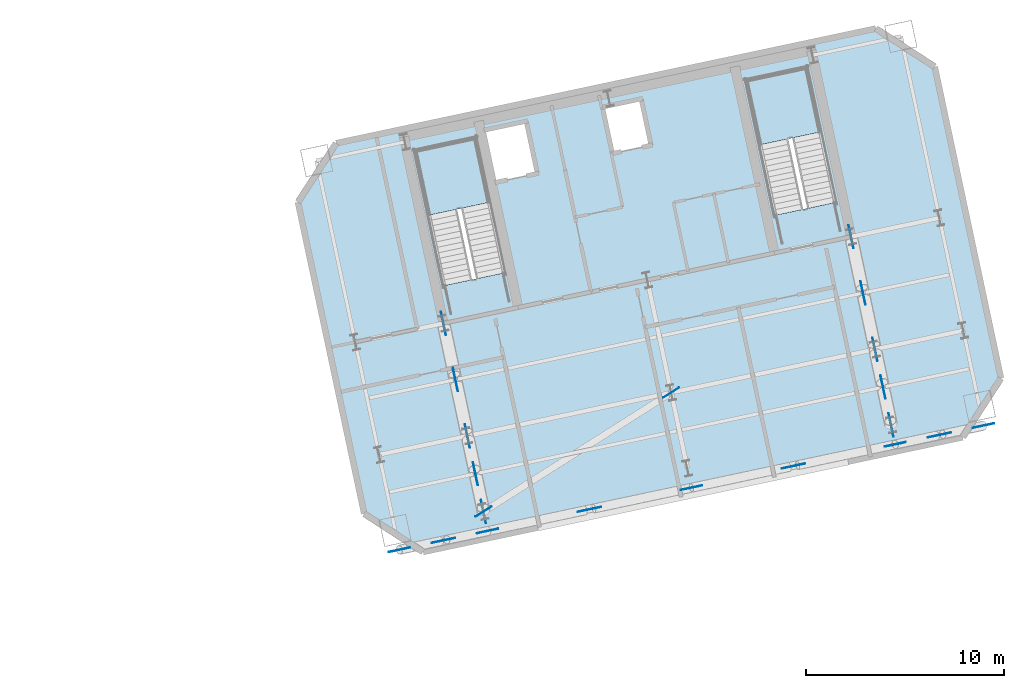
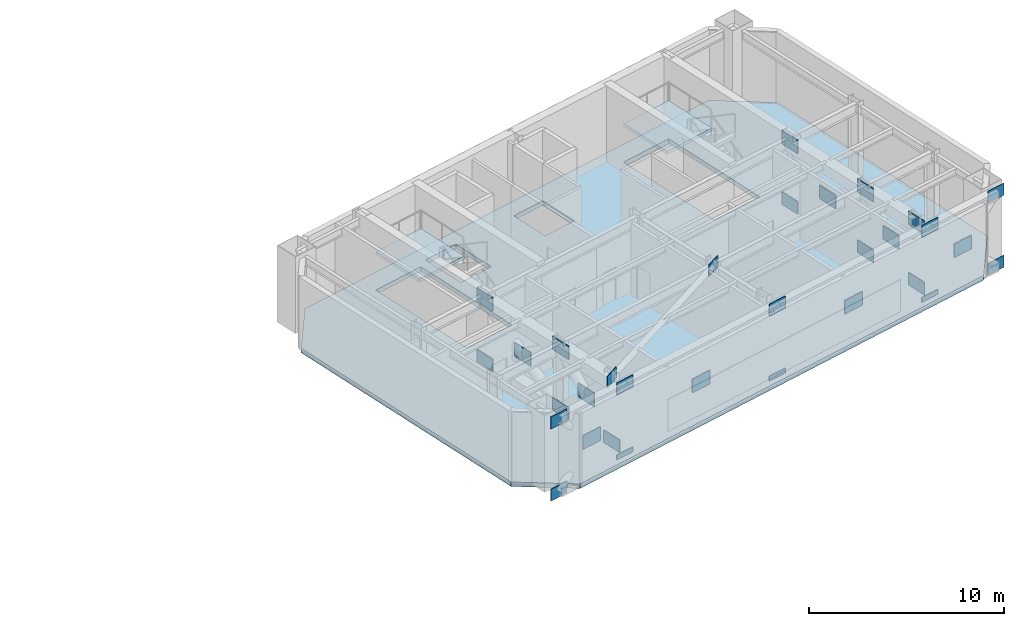
# One storey, part 7 of 15: 31 plates, 3 slabs, 2 elements without a shape of their own.
"""IFC4 building model written with IfcOpenShell, lengths in metres."""

from ifc_helpers import new_model, si_unit, direction, frame, origin, origin_2d, place, context, subcontext, project, spatial, polyline, rectangle, outline, extrude, material, layer, layer_set, type_object, element, aggregate, save


model = new_model("IFC4")

# Units and contexts
model_context = context("Model", 3, precision=1e-05, world=origin(), true_north=direction((0.0, 1.0)))
body_context = subcontext(model_context, "Body", "Model", "MODEL_VIEW")
ifc_project = project(units=[si_unit("LENGTHUNIT", "METRE"), si_unit("AREAUNIT", "SQUARE_METRE"), si_unit("VOLUMEUNIT", "CUBIC_METRE"), si_unit("PLANEANGLEUNIT", "RADIAN"), si_unit("MASSUNIT", "GRAM", prefix="KILO")], contexts=[model_context])

# Site, building, storey
site_placement = place(None, origin())
site = spatial("IfcSite", under=ifc_project, at=site_placement, CompositionType="ELEMENT")
building_placement = place(site_placement, origin())
building = spatial("IfcBuilding", under=site, at=building_placement, Name="Haevon Station Towers", CompositionType="ELEMENT")
storey_placement = place(building_placement, frame((0.0, 0.0, 138.0)))
storey = spatial("IfcBuildingStorey", under=building, at=storey_placement, Name="L37", CompositionType="ELEMENT", Elevation=138.0)

# Plates
ifc_material_1 = material(Name="PL-FLG2", Category="steel")
ifc_layer_1 = layer(ifc_material_1, 0.035888671875)
ifc_layer_set_1 = layer_set([ifc_layer_1], Name="PL-FLG2")
plate_type_1 = type_object("IfcPlateType", Name="PL-FLG2", PredefinedType="USERDEFINED", material=ifc_layer_set_1)
for number, where, z_axis, x_axis, name in (
    (1, (100.76904296875, 27.954345703125, 4.0400390625), (0.0, 0.0, 1.0), (0.844548559698, 0.535478972801, 0.0), "PL-T2TIE-L37-E1"),
    (2, (110.228759765625, 33.9521484375, 4.0400390625), (0.0, 0.0, 1.0), (0.844548559698, 0.535478972801, 0.0), "PL-T2TIE-L37-E2"),
):
    element("IfcPlate", number, at=place(storey_placement, frame(where, z_axis=z_axis, x_axis=x_axis)), inside=storey, type_object=plate_type_1, Name=name, ObjectType="FLANGE_PLATE", PredefinedType="USERDEFINED", context=body_context, shape_type="SweptSolid", body=[
        extrude(rectangle(XDim=0.949951171875, YDim=0.035888671875, at=origin_2d()), origin(), (0.0, 0.0, 1.0), 0.699951171875),
    ])
ifc_material_2 = material(Name="PL-GUS2", Category="steel")
ifc_layer_2 = layer(ifc_material_2, 0.031982421875)
ifc_layer_set_2 = layer_set([ifc_layer_2], Name="PL-GUS2")
plate_type_2 = type_object("IfcPlateType", Name="PL-GUS2", PredefinedType="USERDEFINED", material=ifc_layer_set_2)
for number, where, z_axis, x_axis, name in (
    (3, (100.36376953125, 29.86181640625, 1.849853515625), (0.0, 0.0, 1.0), (-0.207911690818, 0.978147600734, 0.0), "PL-T2OUTX-L37-1-1"),
    (4, (99.355224609375, 34.605712890625, 1.849853515625), (0.0, 0.0, 1.0), (-0.207911690818, 0.978147600734, 0.0), "PL-T2OUTX-L37-1-2"),
    (5, (100.76904296875, 27.954345703125, -0.074951171875), (0.0, 0.0, 1.0), (-0.207911690818, 0.978147600734, 0.0), "PL-T2OUTGUS-L37-1-1B"),
    (6, (99.958251953125, 31.76904296875, -0.074951171875), (0.0, 0.0, 1.0), (-0.207911690818, 0.978147600734, 0.0), "PL-T2OUTGUS-L37-1-2B"),
    (7, (99.958251953125, 31.76904296875, 3.77490234375), (0.0, 0.0, 1.0), (-0.207911690818, 0.978147600734, 0.0), "PL-T2OUTGUS-L37-1-2T"),
    (8, (98.75244140625, 37.4423828125, -0.074951171875), (0.0, 0.0, 1.0), (-0.207911690818, 0.978147600734, 0.0), "PL-T2OUTGUS-L37-1-3B"),
    (9, (98.75244140625, 37.4423828125, 3.77490234375), (0.0, 0.0, 1.0), (-0.207911690818, 0.978147600734, 0.0), "PL-T2OUTGUS-L37-1-3T"),
    (10, (120.90478515625, 34.22802734375, 1.849853515625), (0.0, 0.0, 1.0), (-0.207911690818, 0.978147600734, 0.0), "PL-T2OUTX-L37-2-1"),
    (11, (119.896484375, 38.971923828125, 1.849853515625), (0.0, 0.0, 1.0), (-0.207911690818, 0.978147600734, 0.0), "PL-T2OUTX-L37-2-2"),
    (12, (121.310302734375, 32.320556640625, -0.074951171875), (0.0, 0.0, 1.0), (-0.207911690818, 0.978147600734, 0.0), "PL-T2OUTGUS-L37-2-1B"),
    (13, (121.310302734375, 32.320556640625, 3.77490234375), (0.0, 0.0, 1.0), (-0.207911690818, 0.978147600734, 0.0), "PL-T2OUTGUS-L37-2-1T"),
    (14, (120.499267578125, 36.13525390625, -0.074951171875), (0.0, 0.0, 1.0), (-0.207911690818, 0.978147600734, 0.0), "PL-T2OUTGUS-L37-2-2B"),
    (15, (120.499267578125, 36.13525390625, 3.77490234375), (0.0, 0.0, 1.0), (-0.207911690818, 0.978147600734, 0.0), "PL-T2OUTGUS-L37-2-2T"),
    (16, (119.29345703125, 41.80859375, -0.074951171875), (0.0, 0.0, 1.0), (-0.207911690818, 0.978147600734, 0.0), "PL-T2OUTGUS-L37-2-3B"),
    (17, (119.29345703125, 41.80859375, 3.77490234375), (0.0, 0.0, 1.0), (-0.207911690818, 0.978147600734, 0.0), "PL-T2OUTGUS-L37-2-3T"),
    (18, (98.751708984375, 26.503173828125, 1.75), (0.0, 0.0, 1.0), (0.978147600734, 0.207911690818, 0.0), "PL-T2BLTX-L37-1"),
    (19, (106.1123046875, 28.06787109375, 1.75), (0.0, 0.0, 1.0), (0.978147600734, 0.207911690818, 0.0), "PL-T2BLTX-L37-2"),
    (20, (116.3828125, 30.250732421875, 1.75), (0.0, 0.0, 1.0), (0.978147600734, 0.207911690818, 0.0), "PL-T2BLTX-L37-3"),
    (21, (123.743408203125, 31.8154296875, 1.75), (0.0, 0.0, 1.0), (0.978147600734, 0.207911690818, 0.0), "PL-T2BLTX-L37-4"),
):
    element("IfcPlate", number, at=place(storey_placement, frame(where, z_axis=z_axis, x_axis=x_axis)), inside=storey, type_object=plate_type_2, Name=name, ObjectType="GUSSET_PLATE", PredefinedType="USERDEFINED", context=body_context, shape_type="SweptSolid", body=[
        extrude(rectangle(XDim=1.199951171875, YDim=0.031982421875, at=origin_2d()), origin(), (0.0, 0.0, 1.0), 0.85009765625),
    ])
ifc_material_3 = material(Name="PL-SPL1", Category="steel")
ifc_layer_3 = layer(ifc_material_3, 0.031982421875)
ifc_layer_set_3 = layer_set([ifc_layer_3], Name="PL-SPL1")
plate_type_3 = type_object("IfcPlateType", Name="PL-SPL1", PredefinedType="USERDEFINED", material=ifc_layer_set_3)
for number, where, z_axis, x_axis, name in (
    (22, (96.5263671875, 26.0302734375, -0.455078125), (0.0, 0.0, 1.0), (0.978147600734, 0.207911690818, 0.0), "PL-T2BLTN-L37-1B"),
    (23, (96.5263671875, 26.0302734375, 4.054931640625), (0.0, 0.0, 1.0), (0.978147600734, 0.207911690818, 0.0), "PL-T2BLTN-L37-1T"),
    (24, (100.97705078125, 26.976318359375, -0.455078125), (0.0, 0.0, 1.0), (0.978147600734, 0.207911690818, 0.0), "PL-T2BLTN-L37-2B"),
    (25, (100.97705078125, 26.976318359375, 4.054931640625), (0.0, 0.0, 1.0), (0.978147600734, 0.207911690818, 0.0), "PL-T2BLTN-L37-2T"),
    (26, (111.24755859375, 29.159423828125, -0.455078125), (0.0, 0.0, 1.0), (0.978147600734, 0.207911690818, 0.0), "PL-T2BLTN-L37-3B"),
    (27, (111.24755859375, 29.159423828125, 4.054931640625), (0.0, 0.0, 1.0), (0.978147600734, 0.207911690818, 0.0), "PL-T2BLTN-L37-3T"),
    (28, (121.51806640625, 31.34228515625, -0.455078125), (0.0, 0.0, 1.0), (0.978147600734, 0.207911690818, 0.0), "PL-T2BLTN-L37-4B"),
    (29, (121.51806640625, 31.34228515625, 4.054931640625), (0.0, 0.0, 1.0), (0.978147600734, 0.207911690818, 0.0), "PL-T2BLTN-L37-4T"),
    (30, (125.96875, 32.288330078125, -0.455078125), (0.0, 0.0, 1.0), (0.978147600734, 0.207911690818, 0.0), "PL-T2BLTN-L37-5B"),
    (31, (125.96875, 32.288330078125, 4.054931640625), (0.0, 0.0, 1.0), (0.978147600734, 0.207911690818, 0.0), "PL-T2BLTN-L37-5T"),
):
    element("IfcPlate", number, at=place(storey_placement, frame(where, z_axis=z_axis, x_axis=x_axis)), inside=storey, type_object=plate_type_3, Name=name, ObjectType="SPLICE_PLATE", PredefinedType="USERDEFINED", context=body_context, shape_type="SweptSolid", body=[
        extrude(rectangle(XDim=1.10009765625, YDim=0.031982421875, at=origin_2d()), origin(), (0.0, 0.0, 1.0), 0.75),
    ])

# Stair, slab
ifc_material_4 = material(Name="Concrete C40/50", Category="concrete")
stair_type = type_object("IfcStairType", Name="STR-DL1450", PredefinedType="USERDEFINED", material=ifc_material_4)
stair_1_placement = place(storey_placement, origin())
stair_1 = element("IfcStair", 32, at=stair_1_placement, inside=storey, type_object=stair_type, Name="L37 Escape Stair ST3", ObjectType="TWO_RETURN_STAIR", PredefinedType="USERDEFINED")
ifc_layer_4 = layer(ifc_material_4, 0.199951171875)
ifc_layer_set_4 = layer_set([ifc_layer_4], Name="Concrete C40/50")
slab_type_1 = type_object("IfcSlabType", Name="SL-LND200", PredefinedType="LANDING", material=ifc_layer_set_4)
slab_1_placement = place(storey_placement, frame((0.0, 0.0, 2.199951171875)))
slab_1 = element("IfcSlab", 33, at=slab_1_placement, type_object=slab_type_1, Name="L37 ST3 Half Landing 1", PredefinedType="LANDING", context=body_context, shape_type="SweptSolid", body=[
    extrude(outline(polyline([(101.05517578125, 43.538330078125), (100.36572265625, 46.781982421875), (97.33349609375, 46.137451171875), (98.02294921875, 42.893798828125), (101.05517578125, 43.538330078125)])), origin(), (0.0, 0.0, 1.0), 0.199951171875),
])
aggregate(stair_1, [slab_1])

stair_2_placement = place(storey_placement, origin())
stair_2 = element("IfcStair", 34, at=stair_2_placement, inside=storey, type_object=stair_type, Name="L37 Escape Stair ST4", ObjectType="TWO_RETURN_STAIR", PredefinedType="USERDEFINED")
slab_2_placement = place(storey_placement, frame((0.0, 0.0, 2.199951171875)))
slab_2 = element("IfcSlab", 35, at=slab_2_placement, type_object=slab_type_1, Name="L37 ST4 Half Landing 1", PredefinedType="LANDING", context=body_context, shape_type="SweptSolid", body=[
    extrude(outline(polyline([(117.742431640625, 47.08544921875), (117.052978515625, 50.328857421875), (114.020751953125, 49.684326171875), (114.710205078125, 46.44091796875), (117.742431640625, 47.08544921875)])), origin(), (0.0, 0.0, 1.0), 0.199951171875),
])
aggregate(stair_2, [slab_2])

# Slab
ifc_layer_5 = layer(ifc_material_4, 0.280029296875)
ifc_layer_set_5 = layer_set([ifc_layer_5], Name="Concrete C40/50")
slab_type_2 = type_object("IfcSlabType", Name="SL-REF280", PredefinedType="FLOOR", material=ifc_layer_set_5)
slab_3_placement = place(storey_placement, frame((0.0, 0.0, -0.280029296875)))
element("IfcSlab", 36, at=slab_3_placement, inside=storey, type_object=slab_type_2, Name="SL-T2-L37", PredefinedType="FLOOR", context=body_context, shape_type="SweptSolid", body=[
    extrude(outline(polyline([(97.72412109375, 25.927001953125), (124.91650390625, 31.70703125), (126.84228515625, 34.672119140625), (123.505126953125, 50.371337890625), (120.5400390625, 52.296875), (93.347412109375, 46.51708984375), (91.421875, 43.5517578125), (94.759033203125, 27.8525390625), (97.72412109375, 25.927001953125)]), holes=[polyline([(101.8095703125, 39.98974609375), (100.36572265625, 46.781982421875), (97.33349609375, 46.137451171875), (98.77734375, 39.34521484375), (101.8095703125, 39.98974609375)]), polyline([(118.496826171875, 43.53662109375), (117.052978515625, 50.328857421875), (114.020751953125, 49.684326171875), (115.464599609375, 42.89208984375), (118.496826171875, 43.53662109375)]), polyline([(101.43212890625, 44.554931640625), (103.486328125, 44.99169921875), (102.9248046875, 47.632568359375), (100.870849609375, 47.196044921875), (101.43212890625, 44.554931640625)]), polyline([(107.259521484375, 45.998046875), (109.2158203125, 46.413818359375), (108.716796875, 48.761474609375), (106.760498046875, 48.345703125), (107.259521484375, 45.998046875)])]), origin(), (0.0, 0.0, 1.0), 0.280029296875),
])

save(model, "model.ifc")
